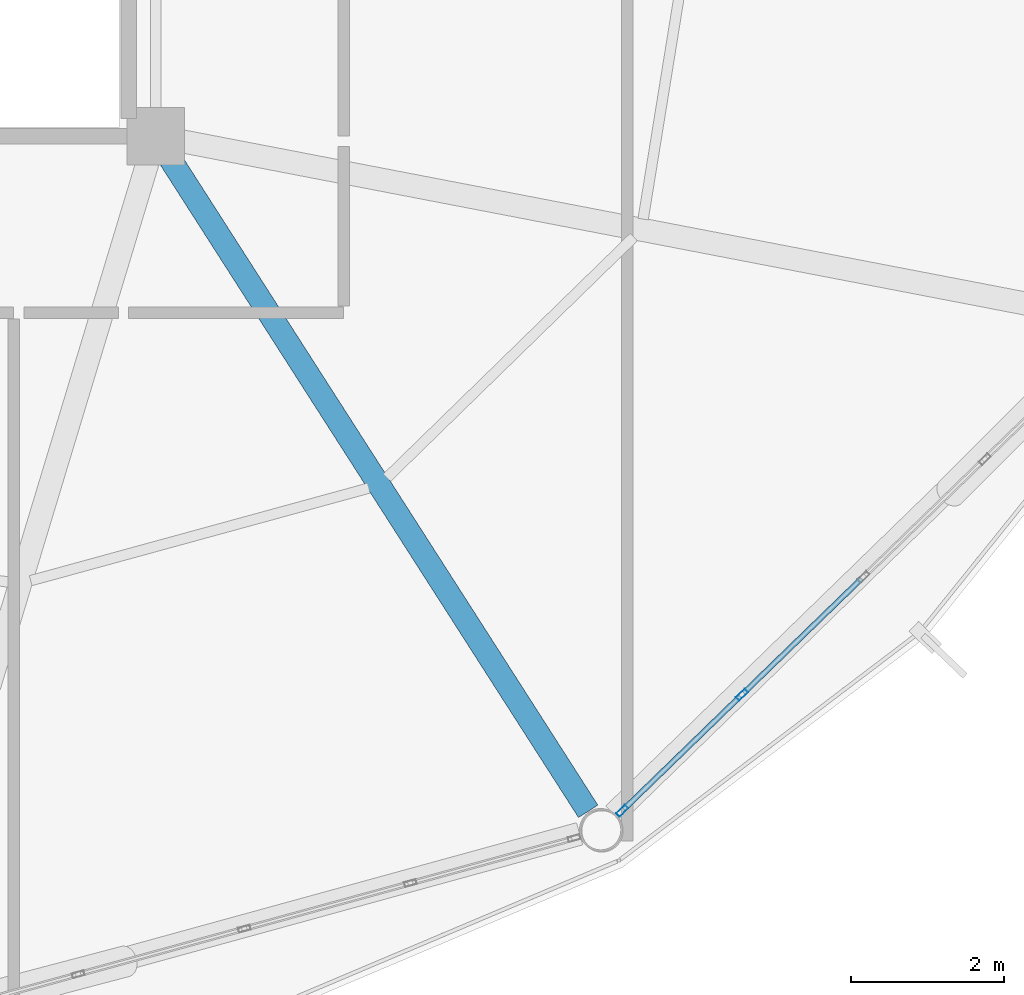
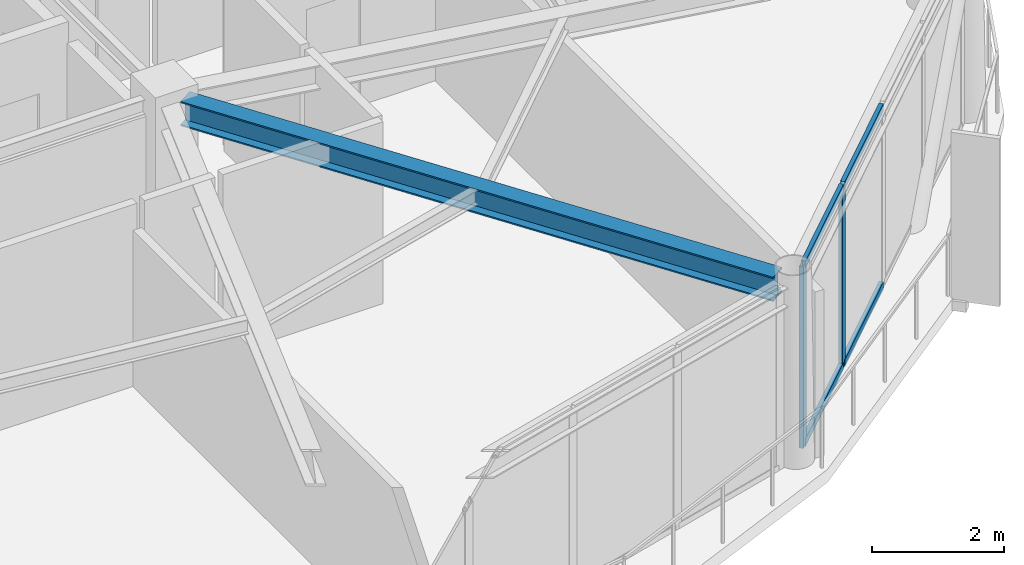
# One storey, part 8 of 27: 6 members, 1 beam, 1 element without a shape of its own.
"""IFC4 building model written with IfcOpenShell, lengths in metres."""

from ifc_helpers import new_model, si_unit, direction, frame, origin, origin_2d, place, context, subcontext, project, spatial, hollow_rectangle, i_section, extrude, material, layer, layer_set, material_profile, profile_set, type_object, element, aggregate, save


model = new_model("IFC4")

# Units and contexts
model_context = context("Model", 3, precision=1e-05, world=origin(), true_north=direction((0.0, 1.0)))
body_context = subcontext(model_context, "Body", "Model", "MODEL_VIEW")
ifc_project = project(units=[si_unit("LENGTHUNIT", "METRE"), si_unit("AREAUNIT", "SQUARE_METRE"), si_unit("VOLUMEUNIT", "CUBIC_METRE"), si_unit("PLANEANGLEUNIT", "RADIAN"), si_unit("MASSUNIT", "GRAM", prefix="KILO")], contexts=[model_context])

# Site, building, storey
site_placement = place(None, origin())
site = spatial("IfcSite", under=ifc_project, at=site_placement, CompositionType="ELEMENT")
building_placement = place(site_placement, origin())
building = spatial("IfcBuilding", under=site, at=building_placement, Name="Varnakorn Sky Granary", CompositionType="ELEMENT")
storey_placement = place(building_placement, frame((0.0, 0.0, 232.800048828125)))
storey = spatial("IfcBuildingStorey", under=building, at=storey_placement, Name="L59", CompositionType="ELEMENT", Elevation=232.800048828125)

# Beam
ifc_material_1 = material(Name="Steel S355JR", Category="steel")
ifc_material_profile_1 = material_profile(ifc_material_1, i_section(OverallWidth=0.300048828125, OverallDepth=0.449951171875, WebThickness=0.013916015625, FlangeThickness=0.02587890625, at=origin_2d()), Name="HE 450 B")
ifc_profile_set_1 = profile_set([ifc_material_profile_1], Name="Steel S355JR")
beam_type = type_object("IfcBeamType", Name="BM-RAD-Z5", PredefinedType="BEAM", material=ifc_profile_set_1)
beam_placement = place(storey_placement, frame((8.54150390625, -6.89892578125, 3.135009765625), z_axis=(0.539542180457, -0.841958571135, 0.0), x_axis=(0.841958571135, 0.539542180457, 0.0)))
element("IfcBeam", 1, at=beam_placement, inside=storey, type_object=beam_type, Name="Radial Floor Girder RG11 L59", PredefinedType="BEAM", context=body_context, shape_type="SweptSolid", body=[
    extrude(i_section(OverallWidth=0.300048828125, OverallDepth=0.449951171875, WebThickness=0.013916015625, FlangeThickness=0.02587890625, at=origin_2d()), origin(), (0.0, 0.0, 1.0), 10.09619140625),
])

# Curtain wall, members
ifc_material_2 = material(Name="Anodised Bronze Aluminium Alloy 6063-T6", Category="aluminium")
ifc_layer = layer(ifc_material_2, 0.169921875, Name="Anodised Bronze Aluminium Alloy 6063-T6")
ifc_layer_set = layer_set([ifc_layer], Name="Anodised Bronze Aluminium Alloy 6063-T6")
curtain_wall_type = type_object("IfcCurtainWallType", Name="CW-LAB-1", PredefinedType="USERDEFINED", material=ifc_layer_set)
curtain_wall_placement = place(storey_placement, origin())
curtain_wall = element("IfcCurtainWall", 2, at=curtain_wall_placement, inside=storey, type_object=curtain_wall_type, Name="Unitised Curtain Wall CW5 CW-L59-B11", ObjectType="CURTAIN WALL", PredefinedType="USERDEFINED")
ifc_material_profile_2 = material_profile(ifc_material_2, hollow_rectangle(XDim=0.06494140625, YDim=0.159912109375, WallThickness=0.00341796875, at=origin_2d()), Name="ALU MULL 65x160")
ifc_profile_set_2 = profile_set([ifc_material_profile_2], Name="Anodised Bronze Aluminium Alloy 6063-T6")
member_type_1 = type_object("IfcMemberType", Name="CW-LAB-1-MULL", PredefinedType="MULLION", material=ifc_profile_set_2)
member_1_placement = place(storey_placement, frame((15.9921875, -13.879638671875, 0.0), z_axis=(0.0, 0.0, 1.0), x_axis=(0.696278954574, -0.717771284893, 0.0)))
member_1 = element("IfcMember", 3, at=member_1_placement, type_object=member_type_1, Name="CW5 mullion 4", PredefinedType="MULLION", context=body_context, shape_type="SweptSolid", body=[
    extrude(hollow_rectangle(XDim=0.06494140625, YDim=0.159912109375, WallThickness=0.00341796875, at=origin_2d()), origin(), (0.0, 0.0, 1.0), 3.35986328125),
])
member_2_placement = place(storey_placement, frame((14.4326171875, -15.392578125, 0.0), z_axis=(0.0, 0.0, 1.0), x_axis=(0.696278954574, -0.717771284893, 0.0)))
member_2 = element("IfcMember", 4, at=member_2_placement, type_object=member_type_1, Name="CW5 mullion 5", PredefinedType="MULLION", context=body_context, shape_type="SweptSolid", body=[
    extrude(hollow_rectangle(XDim=0.06494140625, YDim=0.159912109375, WallThickness=0.00341796875, at=origin_2d()), origin(), (0.0, 0.0, 1.0), 3.35986328125),
])
ifc_material_profile_3 = material_profile(ifc_material_2, hollow_rectangle(XDim=0.070068359375, YDim=0.139892578125, WallThickness=0.00341796875, at=origin_2d()), Name="ALU TRAN 70x140")
ifc_profile_set_3 = profile_set([ifc_material_profile_3], Name="Anodised Bronze Aluminium Alloy 6063-T6")
member_type_2 = type_object("IfcMemberType", Name="CW-LAB-1-TRAN", PredefinedType="USERDEFINED", material=ifc_profile_set_3)
member_3_placement = place(storey_placement, frame((17.5517578125, -12.36669921875, 0.034912109375), z_axis=(-0.717691342535, -0.696361355082, 0.0), x_axis=(0.696361355082, -0.717691342535, 0.0)))
member_3 = element("IfcMember", 5, at=member_3_placement, type_object=member_type_2, Name="CW5 transom 3.1", ObjectType="TRANSOM", PredefinedType="USERDEFINED", context=body_context, shape_type="SweptSolid", body=[
    extrude(hollow_rectangle(XDim=0.070068359375, YDim=0.139892578125, WallThickness=0.00341796875, at=origin_2d()), origin(), (0.0, 0.0, 1.0), 2.140380859375),
])
member_4_placement = place(storey_placement, frame((17.5517578125, -12.36669921875, 3.324951171875), z_axis=(-0.717691342535, -0.696361355082, 0.0), x_axis=(0.696361355082, -0.717691342535, 0.0)))
member_4 = element("IfcMember", 6, at=member_4_placement, type_object=member_type_2, Name="CW5 transom 3.2", ObjectType="TRANSOM", PredefinedType="USERDEFINED", context=body_context, shape_type="SweptSolid", body=[
    extrude(hollow_rectangle(XDim=0.070068359375, YDim=0.139892578125, WallThickness=0.00341796875, at=origin_2d()), origin(), (0.0, 0.0, 1.0), 2.140380859375),
])
member_5_placement = place(storey_placement, frame((15.968994140625, -13.90234375, 0.034912109375), z_axis=(-0.717795152557, -0.696254349334, 0.0), x_axis=(0.696254349334, -0.717795152557, 0.0)))
member_5 = element("IfcMember", 7, at=member_5_placement, type_object=member_type_2, Name="CW5 transom 4.1", ObjectType="TRANSOM", PredefinedType="USERDEFINED", context=body_context, shape_type="SweptSolid", body=[
    extrude(hollow_rectangle(XDim=0.070068359375, YDim=0.139892578125, WallThickness=0.00341796875, at=origin_2d()), origin(), (0.0, 0.0, 1.0), 2.108154296875),
])
member_6_placement = place(storey_placement, frame((15.968994140625, -13.90234375, 3.324951171875), z_axis=(-0.717795152557, -0.696254349334, 0.0), x_axis=(0.696254349334, -0.717795152557, 0.0)))
member_6 = element("IfcMember", 8, at=member_6_placement, type_object=member_type_2, Name="CW5 transom 4.2", ObjectType="TRANSOM", PredefinedType="USERDEFINED", context=body_context, shape_type="SweptSolid", body=[
    extrude(hollow_rectangle(XDim=0.070068359375, YDim=0.139892578125, WallThickness=0.00341796875, at=origin_2d()), origin(), (0.0, 0.0, 1.0), 2.108154296875),
])
aggregate(curtain_wall, [member_1, member_2, member_3, member_4, member_5, member_6])

save(model, "model.ifc")
